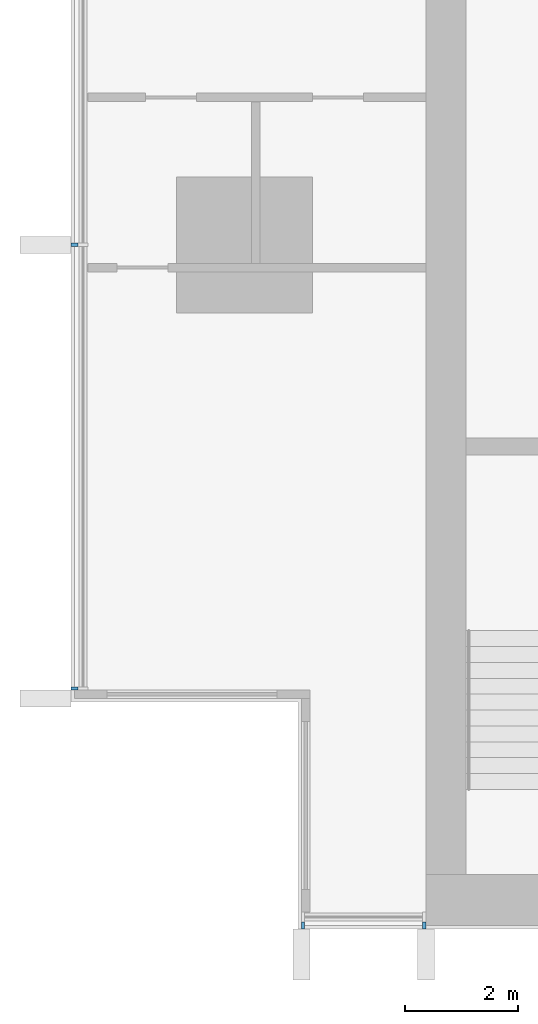
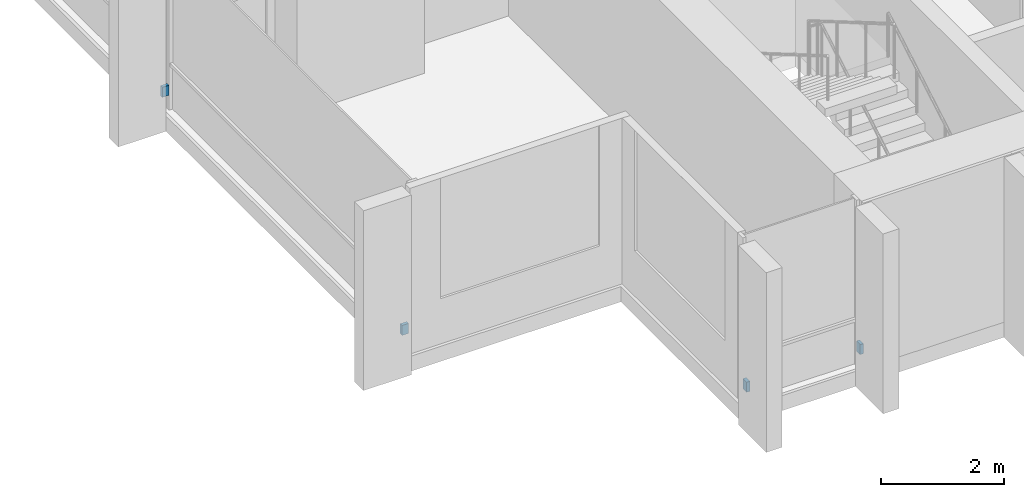
# One storey, part 12 of 16: 4 discrete accessories.
"""IFC4 building model written with IfcOpenShell, lengths in metres."""

from ifc_helpers import new_model, si_unit, direction, frame, origin, origin_2d, place, context, subcontext, project, spatial, rectangle, extrude, material, type_object, element, save


model = new_model("IFC4")

# Units and contexts
model_context = context("Model", 3, precision=1e-05, world=origin(), true_north=direction((0.0, 1.0)))
body_context = subcontext(model_context, "Body", "Model", "MODEL_VIEW")
ifc_project = project(units=[si_unit("LENGTHUNIT", "METRE"), si_unit("AREAUNIT", "SQUARE_METRE"), si_unit("VOLUMEUNIT", "CUBIC_METRE"), si_unit("PLANEANGLEUNIT", "RADIAN"), si_unit("MASSUNIT", "GRAM", prefix="KILO")], contexts=[model_context])

# Site, building, storey
site_placement = place(None, origin())
site = spatial("IfcSite", under=ifc_project, at=site_placement, CompositionType="ELEMENT")
building_placement = place(site_placement, origin())
building = spatial("IfcBuilding", under=site, at=building_placement, Name="Finial Court Residences", CompositionType="ELEMENT")
storey_placement = place(building_placement, frame((0.0, 0.0, 156.5)))
storey = spatial("IfcBuildingStorey", under=building, at=storey_placement, Name="L38", CompositionType="ELEMENT", Elevation=156.5)

# Discrete accessories
ifc_material = material(Name="Stainless steel 316", Category="steel")
discrete_accessory_type = type_object("IfcDiscreteAccessoryType", Name="Fin bracket, stainless steel 60 x 122 x 200", PredefinedType="BRACKET", material=ifc_material)
for number, where, z_axis, x_axis, name in (
    (1, (-15.469970703125, -25.498779296875, 0.2998046875), (0.0, 0.0, 1.0), (1.0, 0.0, 0.0), "E-L38-FIN-S14-BRK"),
    (2, (-13.330078125, -25.498779296875, 0.2998046875), (0.0, 0.0, 1.0), (1.0, 0.0, 0.0), "E-L38-FIN-S15-BRK"),
):
    element("IfcDiscreteAccessory", number, at=place(storey_placement, frame(where, z_axis=z_axis, x_axis=x_axis)), inside=storey, type_object=discrete_accessory_type, Name=name, PredefinedType="BRACKET", context=body_context, shape_type="SweptSolid", body=[
        extrude(rectangle(XDim=0.06005859375, YDim=0.12255859375, at=origin_2d()), origin(), (0.0, 0.0, 1.0), 0.199951171875),
    ])
for number, where, z_axis, x_axis, name in (
    (3, (-19.498779296875, -21.320068359375, 0.2998046875), (0.0, 0.0, 1.0), (1.0, 0.0, 0.0), "E-L38-FIN-W22-BRK"),
    (4, (-19.498779296875, -13.5, 0.2998046875), (0.0, 0.0, 1.0), (1.0, 0.0, 0.0), "E-L38-FIN-W23-BRK"),
):
    element("IfcDiscreteAccessory", number, at=place(storey_placement, frame(where, z_axis=z_axis, x_axis=x_axis)), inside=storey, type_object=discrete_accessory_type, Name=name, PredefinedType="BRACKET", context=body_context, shape_type="SweptSolid", body=[
        extrude(rectangle(XDim=0.12255859375, YDim=0.06005859375, at=origin_2d()), origin(), (0.0, 0.0, 1.0), 0.199951171875),
    ])

save(model, "model.ifc")
